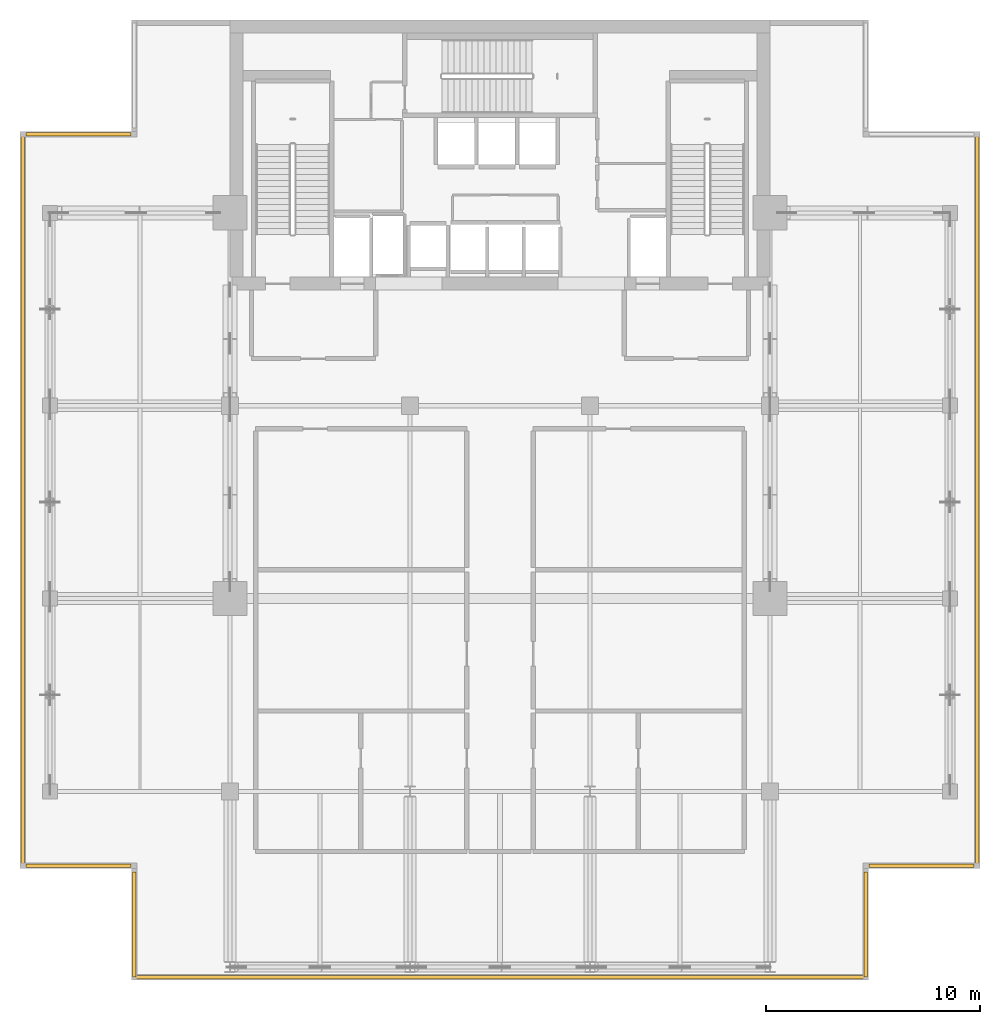
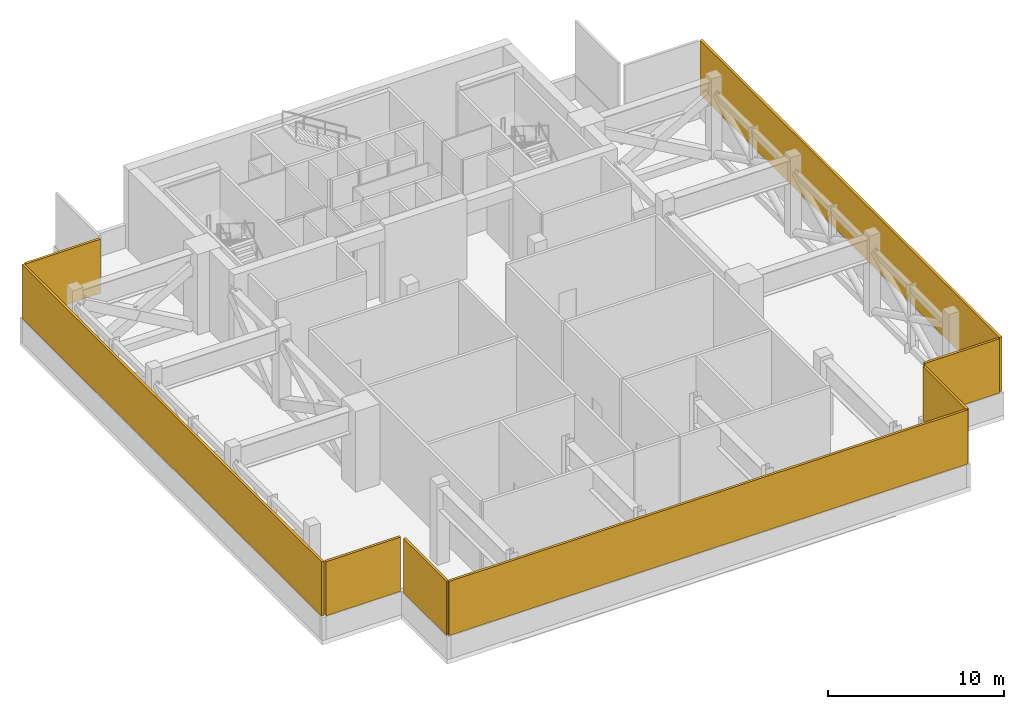
# One storey, part 9 of 11: 8 shading devices.
"""IFC4 building model written with IfcOpenShell, lengths in metres."""

from ifc_helpers import new_model, si_unit, direction, frame, origin, origin_2d, place, context, subcontext, project, spatial, rectangle, extrude, material, layer, layer_set, type_object, element, save


model = new_model("IFC4")

# Units and contexts
model_context = context("Model", 3, precision=1e-05, world=origin(), true_north=direction((0.0, 1.0)))
body_context = subcontext(model_context, "Body", "Model", "MODEL_VIEW")
ifc_project = project(units=[si_unit("LENGTHUNIT", "METRE"), si_unit("AREAUNIT", "SQUARE_METRE"), si_unit("VOLUMEUNIT", "CUBIC_METRE"), si_unit("PLANEANGLEUNIT", "RADIAN"), si_unit("MASSUNIT", "GRAM", prefix="KILO")], contexts=[model_context])

# Site, building, storey
site_placement = place(None, origin())
site = spatial("IfcSite", under=ifc_project, at=site_placement, CompositionType="ELEMENT")
building_placement = place(site_placement, origin())
building = spatial("IfcBuilding", under=site, at=building_placement, Name="Maruvema Waterfront Hotel and Observation Tower", CompositionType="ELEMENT")
storey_placement = place(building_placement, frame((0.0, 0.0, 316.39990234375)))
storey = spatial("IfcBuildingStorey", under=building, at=storey_placement, Name="L78", CompositionType="ELEMENT", Elevation=316.39990234375)

# Shading devices
ifc_material = material(Name="Anodised architectural bronze aluminium", Category="aluminium")
ifc_layer = layer(ifc_material, 0.14990234375, Name="Acoustic Weatherproof Plant Louvre Panel 150 mm")
ifc_layer_set = layer_set([ifc_layer], Name="Anodised architectural bronze aluminium")
shading_device_type = type_object("IfcShadingDeviceType", Name="Acoustic Weatherproof Plant Louvre Panel 150 mm", PredefinedType="JALOUSIE", material=ifc_layer_set)
shading_device_1_placement = place(storey_placement, frame((37.800048828125, 9.330078125, 1.60009765625), z_axis=(0.0, 0.0, 1.0), x_axis=(1.0, 0.0, 0.0)))
element("IfcShadingDevice", 1, at=shading_device_1_placement, inside=storey, type_object=shading_device_type, Name="L78 Mechanical Acoustic Louvre 01", PredefinedType="JALOUSIE", context=body_context, shape_type="SweptSolid", body=[
    extrude(rectangle(XDim=34.10009765625, YDim=0.159912109375, at=origin_2d()), origin(), (0.0, 0.0, 1.0), 3.760009765625),
])
for number, where, z_axis, x_axis, name in (
    (2, (54.8701171875, 11.800048828125, 1.60009765625), (0.0, 0.0, 1.0), (0.0, 1.0, 0.0), "L78 Mechanical Acoustic Louvre 02"),
    (3, (57.469970703125, 14.530029296875, 1.60009765625), (0.0, 0.0, 1.0), (1.0, 0.0, 0.0), "L78 Mechanical Acoustic Louvre 03"),
):
    element("IfcShadingDevice", number, at=place(storey_placement, frame(where, z_axis=z_axis, x_axis=x_axis)), inside=storey, type_object=shading_device_type, Name=name, PredefinedType="JALOUSIE", context=body_context, shape_type="SweptSolid", body=[
        extrude(rectangle(XDim=4.89990234375, YDim=0.159912109375, at=origin_2d()), origin(), (0.0, 0.0, 1.0), 3.760009765625),
    ])
shading_device_2_placement = place(storey_placement, frame((60.070068359375, 31.60009765625, 1.60009765625), z_axis=(0.0, 0.0, 1.0), x_axis=(0.0, 1.0, 0.0)))
element("IfcShadingDevice", 4, at=shading_device_2_placement, inside=storey, type_object=shading_device_type, Name="L78 Mechanical Acoustic Louvre 04", PredefinedType="JALOUSIE", context=body_context, shape_type="SweptSolid", body=[
    extrude(rectangle(XDim=34.10009765625, YDim=0.159912109375, at=origin_2d()), origin(), (0.0, 0.0, 1.0), 3.760009765625),
])
shading_device_3_placement = place(storey_placement, frame((18.1298828125, 48.669921875, 1.60009765625), z_axis=(0.0, 0.0, 1.0), x_axis=(-1.0, 0.0, 0.0)))
element("IfcShadingDevice", 5, at=shading_device_3_placement, inside=storey, type_object=shading_device_type, Name="L78 Mechanical Acoustic Louvre 09", PredefinedType="JALOUSIE", context=body_context, shape_type="SweptSolid", body=[
    extrude(rectangle(XDim=4.89990234375, YDim=0.159912109375, at=origin_2d()), origin(), (0.0, 0.0, 1.0), 3.760009765625),
])
shading_device_4_placement = place(storey_placement, frame((15.530029296875, 31.60009765625, 1.60009765625), z_axis=(0.0, 0.0, 1.0), x_axis=(0.0, -1.0, 0.0)))
element("IfcShadingDevice", 6, at=shading_device_4_placement, inside=storey, type_object=shading_device_type, Name="L78 Mechanical Acoustic Louvre 10", PredefinedType="JALOUSIE", context=body_context, shape_type="SweptSolid", body=[
    extrude(rectangle(XDim=34.10009765625, YDim=0.159912109375, at=origin_2d()), origin(), (0.0, 0.0, 1.0), 3.760009765625),
])
for number, where, z_axis, x_axis, name in (
    (7, (18.1298828125, 14.530029296875, 1.60009765625), (0.0, 0.0, 1.0), (1.0, 0.0, 0.0), "L78 Mechanical Acoustic Louvre 11"),
    (8, (20.72998046875, 11.800048828125, 1.60009765625), (0.0, 0.0, 1.0), (0.0, -1.0, 0.0), "L78 Mechanical Acoustic Louvre 12"),
):
    element("IfcShadingDevice", number, at=place(storey_placement, frame(where, z_axis=z_axis, x_axis=x_axis)), inside=storey, type_object=shading_device_type, Name=name, PredefinedType="JALOUSIE", context=body_context, shape_type="SweptSolid", body=[
        extrude(rectangle(XDim=4.89990234375, YDim=0.159912109375, at=origin_2d()), origin(), (0.0, 0.0, 1.0), 3.760009765625),
    ])

save(model, "model.ifc")
